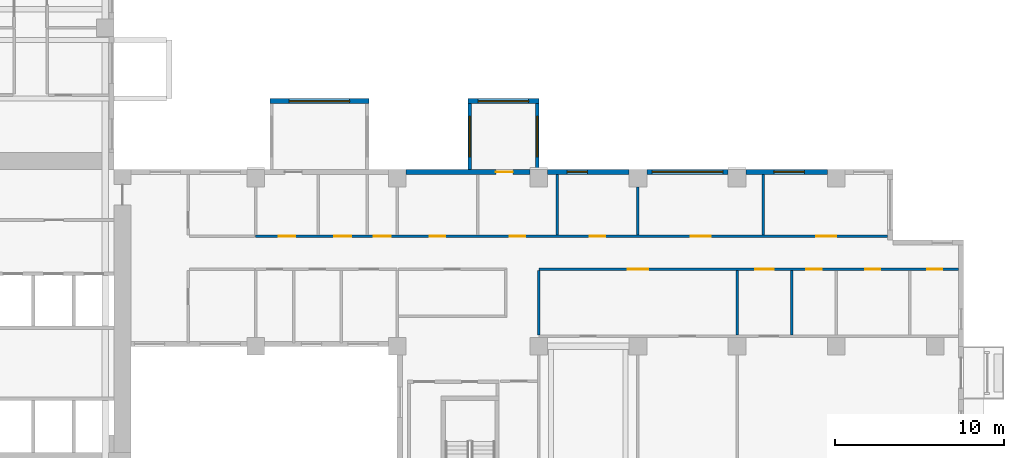
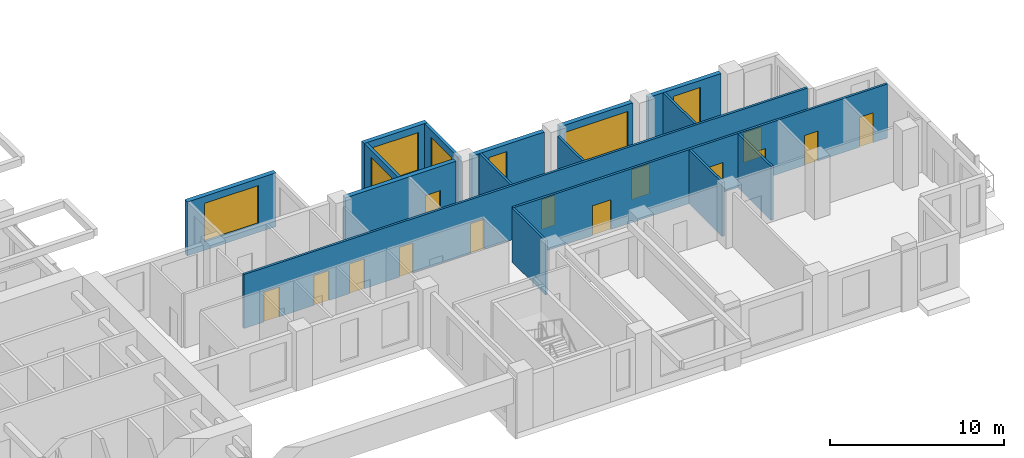
# One storey, part 5 of 14: 16 walls, 14 doors, 7 windows, 21 openings.
"""IFC4 building model written with IfcOpenShell, lengths in metres."""

import ifcopenshell
import ifcopenshell.guid

model = None  # the IFC model being written
_history = None  # IfcOwnerHistory: only IFC2X3 demands one
_inside = {}  # id of a spatial element -> (the spatial element, [elements in it])
_under = {}  # id of a project, library or spatial element -> (it, [spatial elements below it])
_declared = {}  # id of a project -> (the project, [libraries it declares])
_typed = {}  # id of a type object -> (the type object, [elements of that type])
_made_of = {}  # id of a material, layer set ... -> (it, [elements and type objects made of it])


def new_model(schema):
    """Start an empty IFC model of exactly this schema.

    Asked for "IFC4X3", IfcOpenShell would pick the latest addendum, in which some entities
    have other attributes; the version numbers below select the first issue.
    IFC2X3 requires an IfcOwnerHistory on every rooted entity: one is made here for all.
    """
    global model, _history
    if schema == "IFC4X3":
        model = ifcopenshell.file(schema_version=(4, 3, 0, 0))
    else:
        model = ifcopenshell.file(schema=schema)
    _inside.clear()
    _under.clear()
    _declared.clear()
    _typed.clear()
    _made_of.clear()
    _history = None
    if model.schema == "IFC2X3":
        org = make("IfcOrganization", Name="unknown")
        user = make(
            "IfcPersonAndOrganization",
            ThePerson=make("IfcPerson", FamilyName="unknown"),
            TheOrganization=org,
        )
        app = make(
            "IfcApplication",
            ApplicationDeveloper=org,
            Version="unknown",
            ApplicationFullName="unknown",
            ApplicationIdentifier="unknown",
        )
        _history = make(
            "IfcOwnerHistory",
            OwningUser=user,
            OwningApplication=app,
            ChangeAction="ADDED",
            CreationDate=0,
        )
    return model


def make(cls, **values):
    """One entity of the class cls with the attributes given. An attribute that is None is left unset."""
    return model.create_entity(
        cls, **{name: value for name, value in values.items() if value is not None}
    )


def rooted(cls, **values):
    """An entity with a GlobalId (a new one), such as an element, a storey or a relation."""
    return make(cls, GlobalId=ifcopenshell.guid.new(), OwnerHistory=_history, **values)


def si_unit(unit_type, name, prefix=None):
    """IfcSIUnit, for example si_unit("LENGTHUNIT", "METRE", prefix="MILLI")."""
    return make("IfcSIUnit", UnitType=unit_type, Prefix=prefix, Name=name)


def assignment(units):
    """IfcUnitAssignment: the units of a project."""
    return None if units is None else make("IfcUnitAssignment", Units=units)


def point(xyz):
    """IfcCartesianPoint."""
    return None if xyz is None else make("IfcCartesianPoint", Coordinates=xyz)


def direction(xyz):
    """IfcDirection."""
    return None if xyz is None else make("IfcDirection", DirectionRatios=xyz)


def frame(location, z_axis=None, x_axis=None):
    """IfcAxis2Placement3D, a coordinate frame: its origin and axes. An axis left out is left unset."""
    return make(
        "IfcAxis2Placement3D",
        Location=point(location),
        Axis=direction(z_axis),
        RefDirection=direction(x_axis),
    )


def frame_2d(location, x_axis=None):
    """IfcAxis2Placement2D, a coordinate frame in the plane: its origin and x axis."""
    return make(
        "IfcAxis2Placement2D", Location=point(location), RefDirection=direction(x_axis)
    )


def origin():
    """The frame at (0, 0, 0) with its axes left unset."""
    return frame((0.0, 0.0, 0.0))


def place(relative_to, where):
    """IfcLocalPlacement: puts the frame where relative to a parent placement (None: the world)."""
    return make(
        "IfcLocalPlacement", PlacementRelTo=relative_to, RelativePlacement=where
    )


def context(
    kind, dimensions, precision=None, world=None, true_north=None, identifier=None
):
    """IfcGeometricRepresentationContext, for example the 3D "Model" context."""
    return make(
        "IfcGeometricRepresentationContext",
        ContextIdentifier=identifier,
        ContextType=kind,
        CoordinateSpaceDimension=dimensions,
        Precision=precision,
        WorldCoordinateSystem=world,
        TrueNorth=true_north,
    )


def subcontext(parent, identifier, kind, view, scale=None):
    """IfcGeometricRepresentationSubContext, for example "Body" below "Model"."""
    return make(
        "IfcGeometricRepresentationSubContext",
        ContextIdentifier=identifier,
        ContextType=kind,
        ParentContext=parent,
        TargetScale=scale,
        TargetView=view,
    )


def project(units=None, contexts=None):
    """IfcProject with its units and contexts."""
    return rooted(
        "IfcProject",
        Name="project",
        RepresentationContexts=contexts,
        UnitsInContext=assignment(units),
    )


def spatial(cls, under=None, at=None, **own):
    """A site, building, storey or space (cls), placed at a placement, below another one or the project."""
    s = rooted(cls, ObjectPlacement=at, **own)
    if under is not None:
        _under.setdefault(under.id(), (under, []))[1].append(s)
    return s


def profile(cls, at=None, kind="AREA", **sizes):
    """A parametric profile (cls). Its sizes go by their IFC names, for example OverallWidth=200.0."""
    return make(cls, ProfileType=kind, Position=at, **sizes)


def rectangle(**sizes):
    """IfcRectangleProfileDef."""
    return profile("IfcRectangleProfileDef", **sizes)


def extrude(swept, where, along, depth):
    """IfcExtrudedAreaSolid: the profile swept, set in the frame where, extruded along a direction by depth."""
    return make(
        "IfcExtrudedAreaSolid",
        SweptArea=swept,
        Position=where,
        ExtrudedDirection=direction(along),
        Depth=depth,
    )


def shape(context_of_items, identifier, shape_type, items):
    """IfcShapeRepresentation: the items that make up one representation, for example the "Body"."""
    return make(
        "IfcShapeRepresentation",
        ContextOfItems=context_of_items,
        RepresentationIdentifier=identifier,
        RepresentationType=shape_type,
        Items=items,
    )


def source(mapping_origin, context_of_items, identifier, shape_type, items):
    """IfcRepresentationMap: a shape defined once, which mapped items show again and again."""
    return make(
        "IfcRepresentationMap",
        MappingOrigin=mapping_origin,
        MappedRepresentation=shape(context_of_items, identifier, shape_type, items),
    )


def transform(
    local_origin,
    x_axis=None,
    y_axis=None,
    z_axis=None,
    scale=None,
    scale2=None,
    scale3=None,
    uniform=True,
):
    """IfcCartesianTransformationOperator3D, or its non-uniform kind. x_axis, y_axis, z_axis: its Axis1, 2, 3."""
    if uniform:
        return make(
            "IfcCartesianTransformationOperator3D",
            Axis1=direction(x_axis),
            Axis2=direction(y_axis),
            LocalOrigin=point(local_origin),
            Scale=scale,
            Axis3=direction(z_axis),
        )
    return make(
        "IfcCartesianTransformationOperator3DnonUniform",
        Axis1=direction(x_axis),
        Axis2=direction(y_axis),
        LocalOrigin=point(local_origin),
        Scale=scale,
        Axis3=direction(z_axis),
        Scale2=scale2,
        Scale3=scale3,
    )


def mapped(mapping_source, mapping_target):
    """IfcMappedItem: shows the shape of a source again, moved by a transform."""
    return make(
        "IfcMappedItem", MappingSource=mapping_source, MappingTarget=mapping_target
    )


def material(Name=None, Category=None):
    """IfcMaterial."""
    return make("IfcMaterial", Name=Name, Category=Category)


def layer(
    of_material, thickness, ventilated=None, Name=None, Category=None, Priority=None
):
    """IfcMaterialLayer: one layer of a wall or slab, of a material (None: an air gap)."""
    return make(
        "IfcMaterialLayer",
        Material=of_material,
        LayerThickness=thickness,
        IsVentilated=ventilated,
        Name=Name,
        Category=Category,
        Priority=Priority,
    )


def layer_set(layers, Name=None):
    """IfcMaterialLayerSet."""
    return make("IfcMaterialLayerSet", MaterialLayers=layers, LayerSetName=Name)


def made_of(thing, what):
    """Note that an element or type object is made of a material, layer set ...; save() writes the relation."""
    if what is not None:
        _made_of.setdefault(what.id(), (what, []))[1].append(thing)
    return thing


def type_object(cls, material=None, **own):
    """A type object (cls), such as IfcWallType, which elements share."""
    return made_of(rooted(cls, **own), material)


def element(
    cls,
    number,
    at=None,
    inside=None,
    cuts=None,
    type_object=None,
    material=None,
    context=None,
    identifier="Body",
    shape_type=None,
    held_by="IfcProductDefinitionShape",
    body=None,
    shapes=None,
    **own,
):
    """One element of the class cls, such as IfcWall. Its Tag is "e" and its number.

    at: its placement. inside: the storey or other place that contains it. cuts: it is an
    opening in that element (IfcRelVoidsElement). A single representation is given by context,
    identifier, shape_type and body (its items); several are given by shapes. held_by: the class
    of the entity that holds the representations. save() writes the other relations.
    """
    e = rooted(cls, Tag="e%d" % number, ObjectPlacement=at, **own)
    if body is not None:
        shapes = [shape(context, identifier, shape_type, body)]
    if shapes is not None:
        e.Representation = make(held_by, Representations=shapes)
    if inside is not None:
        _inside.setdefault(inside.id(), (inside, []))[1].append(e)
    if cuts is not None:
        rooted(
            "IfcRelVoidsElement", RelatingBuildingElement=cuts, RelatedOpeningElement=e
        )
    if type_object is not None:
        _typed.setdefault(type_object.id(), (type_object, []))[1].append(e)
    return made_of(e, material)


def fill(opening, filler):
    """IfcRelFillsElement: the door or window that sits in an opening."""
    return rooted(
        "IfcRelFillsElement",
        RelatingOpeningElement=opening,
        RelatedBuildingElement=filler,
    )


def aggregate(whole, parts):
    """IfcRelAggregates: a whole, such as a stair, and the parts it consists of."""
    return rooted("IfcRelAggregates", RelatingObject=whole, RelatedObjects=parts)


def save(model, path):
    """Write the relations noted so far, then the file.

    IfcRelAggregates (storeys below a building ...), IfcRelContainedInSpatialStructure (elements
    in a storey), IfcRelDefinesByType, IfcRelAssociatesMaterial and IfcRelDeclares: one each for
    every whole, place, type object, material and project.
    """
    for whole, parts in _under.values():
        aggregate(whole, parts)
    for where, things in _inside.values():
        rooted(
            "IfcRelContainedInSpatialStructure",
            RelatedElements=things,
            RelatingStructure=where,
        )
    for kind, things in _typed.values():
        rooted("IfcRelDefinesByType", RelatedObjects=things, RelatingType=kind)
    for what, things in _made_of.values():
        rooted("IfcRelAssociatesMaterial", RelatedObjects=things, RelatingMaterial=what)
    for by, libraries in _declared.values():
        rooted("IfcRelDeclares", RelatingContext=by, RelatedDefinitions=libraries)
    model.write(path)


model = new_model("IFC4")

# Units and contexts
model_context = context("Model", 3, precision=1e-05, world=origin(), true_north=direction((0.0, 1.0)))
body_context = subcontext(model_context, "Body", "Model", "MODEL_VIEW")
ifc_project = project(units=[si_unit("LENGTHUNIT", "METRE"), si_unit("AREAUNIT", "SQUARE_METRE"), si_unit("VOLUMEUNIT", "CUBIC_METRE"), si_unit("PLANEANGLEUNIT", "RADIAN"), si_unit("MASSUNIT", "GRAM", prefix="KILO")], contexts=[model_context])

# Site, building, storey
site_placement = place(None, origin())
site = spatial("IfcSite", under=ifc_project, at=site_placement, CompositionType="ELEMENT")
building_placement = place(site_placement, origin())
building = spatial("IfcBuilding", under=site, at=building_placement, Name="Aurelian Terraces", CompositionType="ELEMENT")
storey_placement = place(building_placement, frame((0.0, 0.0, 103.5)))
storey = spatial("IfcBuildingStorey", under=building, at=storey_placement, Name="L22", CompositionType="ELEMENT", Elevation=103.5)

# Wall
ifc_material_1 = material(Name="Gypsum board on steel studs", Category="steel")
ifc_layer_1 = layer(ifc_material_1, 0.15)
ifc_layer_set_1 = layer_set([ifc_layer_1], Name="Partition 150")
wall_type_1 = type_object("IfcWallType", Name="Partition 150", PredefinedType="PARTITIONING", material=ifc_layer_set_1)
wall_1_placement = place(storey_placement, frame((61.2067, 11.175, 0.0), z_axis=(0.0, 0.0, 1.0), x_axis=(0.0, 1.0, 0.0)))
element("IfcWall", 1, at=wall_1_placement, inside=storey, type_object=wall_type_1, Name="Partition", PredefinedType="PARTITIONING", context=body_context, shape_type="SweptSolid", body=[
    extrude(rectangle(XDim=3.825, YDim=0.15, at=frame_2d((1.9125, 0.0))), origin(), (0.0, 0.0, 1.0), 3.8),
])

# Wall, opening, window
ifc_material_2 = material(Name="Concrete fc' 40 MPa", Category="concrete")
ifc_layer_2 = layer(ifc_material_2, 0.2)
ifc_layer_set_2 = layer_set([ifc_layer_2], Name="BOX BEARING WALL 200")
wall_type_2 = type_object("IfcWallType", Name="BOX BEARING WALL 200", PredefinedType="SOLIDWALL", material=ifc_layer_set_2)
shared_shape_1 = source(origin(), body_context, "Body", "SweptSolid", [
    extrude(rectangle(XDim=3.9, YDim=0.2, at=frame_2d((1.95, 0.0))), origin(), (0.0, 0.0, 1.0), 3.79),
])
wall_2_placement = place(storey_placement, frame((46.1, 21.0, 0.0), z_axis=(0.0, 0.0, 1.0), x_axis=(0.0, 1.0, 0.0)))
wall_2 = element("IfcWall", 2, at=wall_2_placement, inside=storey, type_object=wall_type_2, Name="Box return L22 J30.1", PredefinedType="SOLIDWALL", context=body_context, shape_type="MappedRepresentation", body=[
    mapped(shared_shape_1, transform((0.0, 0.0, 0.0), scale=1.0)),
])
shared_shape_2 = source(origin(), body_context, "Body", "SweptSolid", [
    extrude(rectangle(XDim=2.4, YDim=2.7, at=frame_2d((1.2, 1.35))), frame((0.0, 0.11, 0.0), z_axis=(0.0, -1.0, 0.0), x_axis=(1.0, 0.0, 0.0)), (0.0, 0.0, 1.0), 0.22),
])
opening_1_placement = place(wall_2_placement, frame((0.75, 0.0, 0.6)))
opening_1 = element("IfcOpeningElement", 3, at=opening_1_placement, cuts=wall_2, Name="Opening W2427", PredefinedType="OPENING", context=body_context, shape_type="MappedRepresentation", body=[
    mapped(shared_shape_2, transform((0.0, 0.0, 0.0), scale=1.0)),
])
ifc_material_3 = material(Name="Clear glazing", Category="glass")
window_type_1 = type_object("IfcWindowType", Name="W-2400x2700", PartitioningType="SINGLE_PANEL", PredefinedType="WINDOW", material=ifc_material_3)
shared_shape_3 = source(origin(), body_context, "Body", "SweptSolid", [
    extrude(rectangle(XDim=2.4, YDim=2.7, at=frame_2d((1.2, 1.35))), frame((0.0, 0.03, 0.0), z_axis=(0.0, -1.0, 0.0), x_axis=(1.0, 0.0, 0.0)), (0.0, 0.0, 1.0), 0.06),
])
window_1_placement = place(opening_1_placement, origin())
window_1 = element("IfcWindow", 4, at=window_1_placement, inside=storey, type_object=window_type_1, Name="Window L22 J30-S1", OverallHeight=2.7, OverallWidth=2.4, PartitioningType="SINGLE_PANEL", PredefinedType="WINDOW", context=body_context, shape_type="MappedRepresentation", body=[
    mapped(shared_shape_3, transform((0.0, 0.0, 0.0), scale=1.0)),
])
fill(opening_1, window_1)

wall_3_placement = place(storey_placement, frame((42.1, 21.0, 0.0), z_axis=(0.0, 0.0, 1.0), x_axis=(0.0, 1.0, 0.0)))
wall_3 = element("IfcWall", 5, at=wall_3_placement, inside=storey, type_object=wall_type_2, Name="Box return L22 J30.2", PredefinedType="SOLIDWALL", context=body_context, shape_type="MappedRepresentation", body=[
    mapped(shared_shape_1, transform((0.0, 0.0, 0.0), scale=1.0)),
])
opening_2_placement = place(wall_3_placement, frame((0.75, 0.0, 0.6)))
opening_2 = element("IfcOpeningElement", 6, at=opening_2_placement, cuts=wall_3, Name="Opening W2427", PredefinedType="OPENING", context=body_context, shape_type="MappedRepresentation", body=[
    mapped(shared_shape_2, transform((0.0, 0.0, 0.0), scale=1.0)),
])
window_2_placement = place(opening_2_placement, origin())
window_2 = element("IfcWindow", 7, at=window_2_placement, inside=storey, type_object=window_type_1, Name="Window L22 J30-S2", OverallHeight=2.7, OverallWidth=2.4, PartitioningType="SINGLE_PANEL", PredefinedType="WINDOW", context=body_context, shape_type="MappedRepresentation", body=[
    mapped(shared_shape_3, transform((0.0, 0.0, 0.0), scale=1.0)),
])
fill(opening_2, window_2)

ifc_layer_3 = layer(ifc_material_2, 0.3)
ifc_layer_set_3 = layer_set([ifc_layer_3], Name="BOX BEARING WALL 300")
wall_type_3 = type_object("IfcWallType", Name="BOX BEARING WALL 300", PredefinedType="SOLIDWALL", material=ifc_layer_set_3)
shared_shape_4 = source(origin(), body_context, "Body", "SweptSolid", [
    extrude(rectangle(XDim=5.88, YDim=0.3, at=frame_2d((2.94, 0.0))), origin(), (0.0, 0.0, 1.0), 3.79),
])
wall_4_placement = place(storey_placement, frame((36.12, 25.05, 0.0), z_axis=(0.0, 0.0, 1.0), x_axis=(-1.0, 0.0, 0.0)))
wall_4 = element("IfcWall", 8, at=wall_4_placement, inside=storey, type_object=wall_type_3, Name="Box wall L22 J29", PredefinedType="SOLIDWALL", context=body_context, shape_type="MappedRepresentation", body=[
    mapped(shared_shape_4, transform((0.0, 0.0, 0.0), scale=1.0)),
])
shared_shape_5 = source(origin(), body_context, "Body", "SweptSolid", [
    extrude(rectangle(XDim=3.6, YDim=2.7, at=frame_2d((1.8, 1.35))), frame((0.0, 0.16, 0.0), z_axis=(0.0, -1.0, 0.0), x_axis=(1.0, 0.0, 0.0)), (0.0, 0.0, 1.0), 0.32),
])
opening_3_placement = place(wall_4_placement, frame((1.14, 0.0, 0.6)))
opening_3 = element("IfcOpeningElement", 9, at=opening_3_placement, cuts=wall_4, Name="Opening W3627", PredefinedType="OPENING", context=body_context, shape_type="MappedRepresentation", body=[
    mapped(shared_shape_5, transform((0.0, 0.0, 0.0), scale=1.0)),
])
window_type_2 = type_object("IfcWindowType", Name="W-3600x2700", PartitioningType="SINGLE_PANEL", PredefinedType="WINDOW", material=ifc_material_3)
shared_shape_6 = source(origin(), body_context, "Body", "SweptSolid", [
    extrude(rectangle(XDim=3.6, YDim=2.7, at=frame_2d((1.8, 1.35))), frame((0.0, 0.03, 0.0), z_axis=(0.0, -1.0, 0.0), x_axis=(1.0, 0.0, 0.0)), (0.0, 0.0, 1.0), 0.06),
])
window_3_placement = place(opening_3_placement, origin())
window_3 = element("IfcWindow", 10, at=window_3_placement, inside=storey, type_object=window_type_2, Name="Window L22 J29-F1", OverallHeight=2.7, OverallWidth=3.6, PartitioningType="SINGLE_PANEL", PredefinedType="WINDOW", context=body_context, shape_type="MappedRepresentation", body=[
    mapped(shared_shape_6, transform((0.0, 0.0, 0.0), scale=1.0)),
])
fill(opening_3, window_3)

shared_shape_7 = source(origin(), body_context, "Body", "SweptSolid", [
    extrude(rectangle(XDim=4.2, YDim=0.3, at=frame_2d((2.1, 0.0))), origin(), (0.0, 0.0, 1.0), 3.79),
])
wall_5_placement = place(storey_placement, frame((46.2, 25.05, 0.0), z_axis=(0.0, 0.0, 1.0), x_axis=(-1.0, 0.0, 0.0)))
wall_5 = element("IfcWall", 11, at=wall_5_placement, inside=storey, type_object=wall_type_3, Name="Box wall L22 J30", PredefinedType="SOLIDWALL", context=body_context, shape_type="MappedRepresentation", body=[
    mapped(shared_shape_7, transform((0.0, 0.0, 0.0), scale=1.0)),
])
shared_shape_8 = source(origin(), body_context, "Body", "SweptSolid", [
    extrude(rectangle(XDim=3.0, YDim=2.7, at=frame_2d((1.5, 1.35))), frame((0.0, 0.16, 0.0), z_axis=(0.0, -1.0, 0.0), x_axis=(1.0, 0.0, 0.0)), (0.0, 0.0, 1.0), 0.32),
])
opening_4_placement = place(wall_5_placement, frame((0.6, 0.0, 0.6)))
opening_4 = element("IfcOpeningElement", 12, at=opening_4_placement, cuts=wall_5, Name="Opening W3027", PredefinedType="OPENING", context=body_context, shape_type="MappedRepresentation", body=[
    mapped(shared_shape_8, transform((0.0, 0.0, 0.0), scale=1.0)),
])
window_type_3 = type_object("IfcWindowType", Name="W-3000x2700", PartitioningType="SINGLE_PANEL", PredefinedType="WINDOW", material=ifc_material_3)
shared_shape_9 = source(origin(), body_context, "Body", "SweptSolid", [
    extrude(rectangle(XDim=3.0, YDim=2.7, at=frame_2d((1.5, 1.35))), frame((0.0, 0.03, 0.0), z_axis=(0.0, -1.0, 0.0), x_axis=(1.0, 0.0, 0.0)), (0.0, 0.0, 1.0), 0.06),
])
window_4_placement = place(opening_4_placement, origin())
window_4 = element("IfcWindow", 13, at=window_4_placement, inside=storey, type_object=window_type_3, Name="Window L22 J30-F1", OverallHeight=2.7, OverallWidth=3.0, PartitioningType="SINGLE_PANEL", PredefinedType="WINDOW", context=body_context, shape_type="MappedRepresentation", body=[
    mapped(shared_shape_9, transform((0.0, 0.0, 0.0), scale=1.0)),
])
fill(opening_4, window_4)

# Wall, opening, door
ifc_material_4 = material(Name="Terracotta rainscreen cladding", Category="masonry")
ifc_layer_4 = layer(ifc_material_4, 0.3)
ifc_layer_set_4 = layer_set([ifc_layer_4], Name="EW-300")
wall_type_4 = type_object("IfcWallType", Name="EW-300", PredefinedType="STANDARD", material=ifc_layer_set_4)
shared_shape_10 = source(origin(), body_context, "Body", "SweptSolid", [
    extrude(rectangle(XDim=7.35, YDim=0.3, at=frame_2d((3.675, 0.0))), origin(), (0.0, 0.0, 1.0), 3.8),
])
wall_6_placement = place(storey_placement, frame((45.675, 20.85, 0.0), z_axis=(0.0, 0.0, 1.0), x_axis=(-1.0, 0.0, 0.0)))
wall_6 = element("IfcWall", 14, at=wall_6_placement, inside=storey, type_object=wall_type_4, Name="External wall L22 F11.23", PredefinedType="STANDARD", context=body_context, shape_type="MappedRepresentation", body=[
    mapped(shared_shape_10, transform((0.0, 0.0, 0.0), scale=1.0)),
])
shared_shape_11 = source(origin(), body_context, "Body", "SweptSolid", [
    extrude(rectangle(XDim=1.0, YDim=2.1, at=frame_2d((0.5, 1.05))), frame((0.0, 0.16, 0.0), z_axis=(0.0, -1.0, 0.0), x_axis=(1.0, 0.0, 0.0)), (0.0, 0.0, 1.0), 0.32),
])
opening_5_placement = place(wall_6_placement, frame((1.0167, 0.0, 0.0)))
opening_5 = element("IfcOpeningElement", 15, at=opening_5_placement, cuts=wall_6, Name="Opening 822002", PredefinedType="OPENING", context=body_context, shape_type="MappedRepresentation", body=[
    mapped(shared_shape_11, transform((0.0, 0.0, 0.0), scale=1.0)),
])
ifc_material_5 = material(Name="Timber door leaf", Category="wood")
door_type_1 = type_object("IfcDoorType", Name="Room door 1000x2100 left", OperationType="SINGLE_SWING_LEFT", PredefinedType="DOOR", material=ifc_material_5)
shared_shape_12 = source(origin(), body_context, "Body", "SweptSolid", [
    extrude(rectangle(XDim=1.0, YDim=2.1, at=frame_2d((0.5, 1.05))), frame((0.0, 0.025, 0.0), z_axis=(0.0, -1.0, 0.0), x_axis=(1.0, 0.0, 0.0)), (0.0, 0.0, 1.0), 0.05),
])
door_1_placement = place(opening_5_placement, origin())
door_1 = element("IfcDoor", 16, at=door_1_placement, inside=storey, type_object=door_type_1, Name="Door 822002", OperationType="SINGLE_SWING_LEFT", OverallHeight=2.1, OverallWidth=1.0, PredefinedType="DOOR", context=body_context, shape_type="MappedRepresentation", body=[
    mapped(shared_shape_12, transform((0.0, 0.0, 0.0), scale=1.0)),
])
fill(opening_5, door_1)

# Wall, opening, window
shared_shape_13 = source(origin(), body_context, "Body", "SweptSolid", [
    extrude(rectangle(XDim=4.83, YDim=0.3, at=frame_2d((2.415, 0.0))), origin(), (0.0, 0.0, 1.0), 3.8),
])
wall_7_placement = place(storey_placement, frame((63.315, 20.85, 0.0), z_axis=(0.0, 0.0, 1.0), x_axis=(-1.0, 0.0, 0.0)))
wall_7 = element("IfcWall", 17, at=wall_7_placement, inside=storey, type_object=wall_type_4, Name="External wall L22 F11.22", PredefinedType="STANDARD", context=body_context, shape_type="MappedRepresentation", body=[
    mapped(shared_shape_13, transform((0.0, 0.0, 0.0), scale=1.0)),
])
shared_shape_14 = source(origin(), body_context, "Body", "SweptSolid", [
    extrude(rectangle(XDim=1.8, YDim=2.7, at=frame_2d((0.9, 1.35))), frame((0.0, 0.16, 0.0), z_axis=(0.0, -1.0, 0.0), x_axis=(1.0, 0.0, 0.0)), (0.0, 0.0, 1.0), 0.32),
])
opening_6_placement = place(wall_7_placement, frame((1.3635, 0.0, 0.6)))
opening_6 = element("IfcOpeningElement", 18, at=opening_6_placement, cuts=wall_7, Name="Opening W1827", PredefinedType="OPENING", context=body_context, shape_type="MappedRepresentation", body=[
    mapped(shared_shape_14, transform((0.0, 0.0, 0.0), scale=1.0)),
])
window_type_4 = type_object("IfcWindowType", Name="W-1800x2700", PartitioningType="SINGLE_PANEL", PredefinedType="WINDOW", material=ifc_material_3)
shared_shape_15 = source(origin(), body_context, "Body", "SweptSolid", [
    extrude(rectangle(XDim=1.8, YDim=2.7, at=frame_2d((0.9, 1.35))), frame((0.0, 0.03, 0.0), z_axis=(0.0, -1.0, 0.0), x_axis=(1.0, 0.0, 0.0)), (0.0, 0.0, 1.0), 0.06),
])
window_5_placement = place(opening_6_placement, origin())
window_5 = element("IfcWindow", 19, at=window_5_placement, inside=storey, type_object=window_type_4, Name="Window L22 L22-F11-22-1", OverallHeight=2.7, OverallWidth=1.8, PartitioningType="SINGLE_PANEL", PredefinedType="WINDOW", context=body_context, shape_type="MappedRepresentation", body=[
    mapped(shared_shape_15, transform((0.0, 0.0, 0.0), scale=1.0)),
])
fill(opening_6, window_5)

wall_8_placement = place(storey_placement, frame((57.435, 20.85, 0.0), z_axis=(0.0, 0.0, 1.0), x_axis=(-1.0, 0.0, 0.0)))
wall_8 = element("IfcWall", 20, at=wall_8_placement, inside=storey, type_object=wall_type_4, Name="External wall L22 F11.22", PredefinedType="STANDARD", context=body_context, shape_type="MappedRepresentation", body=[
    mapped(shared_shape_13, transform((0.0, 0.0, 0.0), scale=1.0)),
])
opening_7_placement = place(wall_8_placement, frame((0.315, 0.0, 0.6)))
opening_7 = element("IfcOpeningElement", 21, at=opening_7_placement, cuts=wall_8, Name="Opening W4227", PredefinedType="OPENING", context=body_context, shape_type="SweptSolid", body=[
    extrude(rectangle(XDim=4.2, YDim=2.7, at=frame_2d((2.1, 1.35))), frame((0.0, 0.16, 0.0), z_axis=(0.0, -1.0, 0.0), x_axis=(1.0, 0.0, 0.0)), (0.0, 0.0, 1.0), 0.32),
])
window_type_5 = type_object("IfcWindowType", Name="W-4200x2700", PartitioningType="SINGLE_PANEL", PredefinedType="WINDOW", material=ifc_material_3)
window_6_placement = place(opening_7_placement, origin())
window_6 = element("IfcWindow", 22, at=window_6_placement, inside=storey, type_object=window_type_5, Name="Window L22 L22-F11-22-P2", OverallHeight=2.7, OverallWidth=4.2, PartitioningType="SINGLE_PANEL", PredefinedType="WINDOW", context=body_context, shape_type="SweptSolid", body=[
    extrude(rectangle(XDim=4.2, YDim=2.7, at=frame_2d((2.1, 1.35))), frame((0.0, 0.03, 0.0), z_axis=(0.0, -1.0, 0.0), x_axis=(1.0, 0.0, 0.0)), (0.0, 0.0, 1.0), 0.06),
])
fill(opening_7, window_6)

wall_9_placement = place(storey_placement, frame((51.555, 20.85, 0.0), z_axis=(0.0, 0.0, 1.0), x_axis=(-1.0, 0.0, 0.0)))
wall_9 = element("IfcWall", 23, at=wall_9_placement, inside=storey, type_object=wall_type_4, Name="External wall L22 F11.22", PredefinedType="STANDARD", context=body_context, shape_type="MappedRepresentation", body=[
    mapped(shared_shape_13, transform((0.0, 0.0, 0.0), scale=1.0)),
])
shared_shape_16 = source(origin(), body_context, "Body", "SweptSolid", [
    extrude(rectangle(XDim=1.2, YDim=2.7, at=frame_2d((0.6, 1.35))), frame((0.0, 0.16, 0.0), z_axis=(0.0, -1.0, 0.0), x_axis=(1.0, 0.0, 0.0)), (0.0, 0.0, 1.0), 0.32),
])
opening_8_placement = place(wall_9_placement, frame((2.47, 0.0, 0.6)))
opening_8 = element("IfcOpeningElement", 24, at=opening_8_placement, cuts=wall_9, Name="Opening W1227", PredefinedType="OPENING", context=body_context, shape_type="MappedRepresentation", body=[
    mapped(shared_shape_16, transform((0.0, 0.0, 0.0), scale=1.0)),
])
window_type_6 = type_object("IfcWindowType", Name="W-1200x2700", PartitioningType="SINGLE_PANEL", PredefinedType="WINDOW", material=ifc_material_3)
shared_shape_17 = source(origin(), body_context, "Body", "SweptSolid", [
    extrude(rectangle(XDim=1.2, YDim=2.7, at=frame_2d((0.6, 1.35))), frame((0.0, 0.03, 0.0), z_axis=(0.0, -1.0, 0.0), x_axis=(1.0, 0.0, 0.0)), (0.0, 0.0, 1.0), 0.06),
])
window_7_placement = place(opening_8_placement, origin())
window_7 = element("IfcWindow", 25, at=window_7_placement, inside=storey, type_object=window_type_6, Name="Window L22 L22-F11-22-4", OverallHeight=2.7, OverallWidth=1.2, PartitioningType="SINGLE_PANEL", PredefinedType="WINDOW", context=body_context, shape_type="MappedRepresentation", body=[
    mapped(shared_shape_17, transform((0.0, 0.0, 0.0), scale=1.0)),
])
fill(opening_8, window_7)

# Walls
shared_shape_18 = source(origin(), body_context, "Body", "SweptSolid", [
    extrude(rectangle(XDim=3.6, YDim=0.15, at=frame_2d((1.8, 0.0))), origin(), (0.0, 0.0, 1.0), 3.8),
])
for number, where, z_axis, x_axis, name in (
    (26, (47.295, 20.7, 0.0), (0.0, 0.0, 1.0), (0.0, -1.0, 0.0), "Partition"),
    (27, (59.5275, 20.7, 0.0), (0.0, 0.0, 1.0), (0.0, -1.0, 0.0), "Partition"),
):
    element("IfcWall", number, at=place(storey_placement, frame(where, z_axis=z_axis, x_axis=x_axis)), inside=storey, type_object=wall_type_1, Name=name, PredefinedType="PARTITIONING", context=body_context, shape_type="MappedRepresentation", body=[
        mapped(shared_shape_18, transform((0.0, 0.0, 0.0), scale=1.0)),
    ])

# Wall, openings, doors
ifc_layer_5 = layer(ifc_material_1, 0.15)
ifc_layer_set_5 = layer_set([ifc_layer_5], Name="Fire partition 150")
wall_type_5 = type_object("IfcWallType", Name="Fire partition 150", PredefinedType="PARTITIONING", material=ifc_layer_set_5)
shared_shape_19 = source(origin(), body_context, "Body", "SweptSolid", [
    extrude(rectangle(XDim=24.9, YDim=0.15, at=frame_2d((12.45, 0.0))), origin(), (0.0, 0.0, 1.0), 3.8),
])
wall_10_placement = place(storey_placement, frame((71.1, 15.075, 0.0), z_axis=(0.0, 0.0, 1.0), x_axis=(-1.0, 0.0, 0.0)))
wall_10 = element("IfcWall", 28, at=wall_10_placement, inside=storey, type_object=wall_type_5, Name="Corridor wall", PredefinedType="PARTITIONING", context=body_context, shape_type="MappedRepresentation", body=[
    mapped(shared_shape_19, transform((0.0, 0.0, 0.0), scale=1.0)),
])
shared_shape_20 = source(origin(), body_context, "Body", "SweptSolid", [
    extrude(rectangle(XDim=1.2, YDim=2.1, at=frame_2d((0.6, 1.05))), frame((0.0, 0.085, 0.0), z_axis=(0.0, -1.0, 0.0), x_axis=(1.0, 0.0, 0.0)), (0.0, 0.0, 1.0), 0.17),
])
opening_9_placement = place(wall_10_placement, frame((18.42, 0.0, 0.0)))
opening_9 = element("IfcOpeningElement", 29, at=opening_9_placement, cuts=wall_10, Name="Opening 722008", PredefinedType="OPENING", context=body_context, shape_type="MappedRepresentation", body=[
    mapped(shared_shape_20, transform((0.0, 0.0, 0.0), scale=1.0)),
])
shared_shape_21 = source(origin(), body_context, "Body", "SweptSolid", [
    extrude(rectangle(XDim=1.1, YDim=2.1, at=frame_2d((0.55, 1.05))), frame((0.0, 0.085, 0.0), z_axis=(0.0, -1.0, 0.0), x_axis=(1.0, 0.0, 0.0)), (0.0, 0.0, 1.0), 0.17),
])
opening_10_placement = place(wall_10_placement, frame((10.9666, 0.0, 0.0)))
opening_10 = element("IfcOpeningElement", 30, at=opening_10_placement, cuts=wall_10, Name="Opening 722011", PredefinedType="OPENING", context=body_context, shape_type="MappedRepresentation", body=[
    mapped(shared_shape_21, transform((0.0, 0.0, 0.0), scale=1.0)),
])
shared_shape_22 = source(origin(), body_context, "Body", "SweptSolid", [
    extrude(rectangle(XDim=0.9, YDim=2.1, at=frame_2d((0.45, 1.05))), frame((0.0, 0.085, 0.0), z_axis=(0.0, -1.0, 0.0), x_axis=(1.0, 0.0, 0.0)), (0.0, 0.0, 1.0), 0.17),
])
opening_11_placement = place(wall_10_placement, frame((8.1266, 0.0, 0.0)))
opening_11 = element("IfcOpeningElement", 31, at=opening_11_placement, cuts=wall_10, Name="Opening 722013", PredefinedType="OPENING", context=body_context, shape_type="MappedRepresentation", body=[
    mapped(shared_shape_22, transform((0.0, 0.0, 0.0), scale=1.0)),
])
opening_12_placement = place(wall_10_placement, frame((4.6314, 0.0, 0.0)))
opening_12 = element("IfcOpeningElement", 32, at=opening_12_placement, cuts=wall_10, Name="Opening 722014", PredefinedType="OPENING", context=body_context, shape_type="MappedRepresentation", body=[
    mapped(shared_shape_22, transform((0.0, 0.0, 0.0), scale=1.0)),
])
opening_13_placement = place(wall_10_placement, frame((0.9639, 0.0, 0.0)))
opening_13 = element("IfcOpeningElement", 33, at=opening_13_placement, cuts=wall_10, Name="Opening 722015", PredefinedType="OPENING", context=body_context, shape_type="MappedRepresentation", body=[
    mapped(shared_shape_22, transform((0.0, 0.0, 0.0), scale=1.0)),
])
door_type_2 = type_object("IfcDoorType", Name="Room door 900x2100 left", OperationType="SINGLE_SWING_LEFT", PredefinedType="DOOR", material=ifc_material_5)
shared_shape_23 = source(origin(), body_context, "Body", "SweptSolid", [
    extrude(rectangle(XDim=0.9, YDim=2.1, at=frame_2d((0.45, 1.05))), frame((0.0, 0.025, 0.0), z_axis=(0.0, -1.0, 0.0), x_axis=(1.0, 0.0, 0.0)), (0.0, 0.0, 1.0), 0.05),
])
door_2_placement = place(opening_11_placement, origin())
door_2 = element("IfcDoor", 34, at=door_2_placement, inside=storey, type_object=door_type_2, Name="Door 722013", OperationType="SINGLE_SWING_LEFT", OverallHeight=2.1, OverallWidth=0.9, PredefinedType="DOOR", context=body_context, shape_type="MappedRepresentation", body=[
    mapped(shared_shape_23, transform((0.0, 0.0, 0.0), scale=1.0)),
])
fill(opening_11, door_2)
door_type_3 = type_object("IfcDoorType", Name="Room door 900x2100 right", OperationType="SINGLE_SWING_RIGHT", PredefinedType="DOOR", material=ifc_material_5)
door_3_placement = place(opening_12_placement, origin())
door_3 = element("IfcDoor", 35, at=door_3_placement, inside=storey, type_object=door_type_3, Name="Door 722014", OperationType="SINGLE_SWING_RIGHT", OverallHeight=2.1, OverallWidth=0.9, PredefinedType="DOOR", context=body_context, shape_type="MappedRepresentation", body=[
    mapped(shared_shape_23, transform((0.0, 0.0, 0.0), scale=1.0)),
])
fill(opening_12, door_3)
door_4_placement = place(opening_13_placement, origin())
door_4 = element("IfcDoor", 36, at=door_4_placement, inside=storey, type_object=door_type_2, Name="Door 722015", OperationType="SINGLE_SWING_LEFT", OverallHeight=2.1, OverallWidth=0.9, PredefinedType="DOOR", context=body_context, shape_type="MappedRepresentation", body=[
    mapped(shared_shape_23, transform((0.0, 0.0, 0.0), scale=1.0)),
])
fill(opening_13, door_4)
door_type_4 = type_object("IfcDoorType", Name="Room door 1100x2100 left", OperationType="SINGLE_SWING_LEFT", PredefinedType="DOOR", material=ifc_material_5)
shared_shape_24 = source(origin(), body_context, "Body", "SweptSolid", [
    extrude(rectangle(XDim=1.1, YDim=2.1, at=frame_2d((0.55, 1.05))), frame((0.0, 0.025, 0.0), z_axis=(0.0, -1.0, 0.0), x_axis=(1.0, 0.0, 0.0)), (0.0, 0.0, 1.0), 0.05),
])
door_5_placement = place(opening_10_placement, origin())
door_5 = element("IfcDoor", 37, at=door_5_placement, inside=storey, type_object=door_type_4, Name="Door 722011", OperationType="SINGLE_SWING_LEFT", OverallHeight=2.1, OverallWidth=1.1, PredefinedType="DOOR", context=body_context, shape_type="MappedRepresentation", body=[
    mapped(shared_shape_24, transform((0.0, 0.0, 0.0), scale=1.0)),
])
fill(opening_10, door_5)
door_type_5 = type_object("IfcDoorType", Name="Room door 1200x2100 left", OperationType="SINGLE_SWING_LEFT", PredefinedType="DOOR", material=ifc_material_5)
shared_shape_25 = source(origin(), body_context, "Body", "SweptSolid", [
    extrude(rectangle(XDim=1.2, YDim=2.1, at=frame_2d((0.6, 1.05))), frame((0.0, 0.025, 0.0), z_axis=(0.0, -1.0, 0.0), x_axis=(1.0, 0.0, 0.0)), (0.0, 0.0, 1.0), 0.05),
])
door_6_placement = place(opening_9_placement, origin())
door_6 = element("IfcDoor", 38, at=door_6_placement, inside=storey, type_object=door_type_5, Name="Door 722008", OperationType="SINGLE_SWING_LEFT", OverallHeight=2.1, OverallWidth=1.2, PredefinedType="DOOR", context=body_context, shape_type="MappedRepresentation", body=[
    mapped(shared_shape_25, transform((0.0, 0.0, 0.0), scale=1.0)),
])
fill(opening_9, door_6)

shared_shape_26 = source(origin(), body_context, "Body", "SweptSolid", [
    extrude(rectangle(XDim=37.5, YDim=0.15, at=frame_2d((18.75, 0.0))), origin(), (0.0, 0.0, 1.0), 3.8),
])
wall_11_placement = place(storey_placement, frame((29.4, 17.025, 0.0), z_axis=(0.0, 0.0, 1.0), x_axis=(1.0, 0.0, 0.0)))
wall_11 = element("IfcWall", 39, at=wall_11_placement, inside=storey, type_object=wall_type_5, Name="Corridor wall", PredefinedType="PARTITIONING", context=body_context, shape_type="MappedRepresentation", body=[
    mapped(shared_shape_26, transform((0.0, 0.0, 0.0), scale=1.0)),
])
shared_shape_27 = source(origin(), body_context, "Body", "SweptSolid", [
    extrude(rectangle(XDim=1.0, YDim=2.1, at=frame_2d((0.5, 1.05))), frame((0.0, 0.085, 0.0), z_axis=(0.0, -1.0, 0.0), x_axis=(1.0, 0.0, 0.0)), (0.0, 0.0, 1.0), 0.17),
])
opening_14_placement = place(wall_11_placement, frame((1.3567, 0.0, 0.0)))
opening_14 = element("IfcOpeningElement", 40, at=opening_14_placement, cuts=wall_11, Name="Opening 722016", PredefinedType="OPENING", context=body_context, shape_type="MappedRepresentation", body=[
    mapped(shared_shape_27, transform((0.0, 0.0, 0.0), scale=1.0)),
])
opening_15_placement = place(wall_11_placement, frame((4.6686, 0.0, 0.0)))
opening_15 = element("IfcOpeningElement", 41, at=opening_15_placement, cuts=wall_11, Name="Opening 722017", PredefinedType="OPENING", context=body_context, shape_type="MappedRepresentation", body=[
    mapped(shared_shape_27, transform((0.0, 0.0, 0.0), scale=1.0)),
])
opening_16_placement = place(wall_11_placement, frame((7.012, 0.0, 0.0)))
opening_16 = element("IfcOpeningElement", 42, at=opening_16_placement, cuts=wall_11, Name="Opening 722018", PredefinedType="OPENING", context=body_context, shape_type="MappedRepresentation", body=[
    mapped(shared_shape_27, transform((0.0, 0.0, 0.0), scale=1.0)),
])
opening_17_placement = place(wall_11_placement, frame((10.3425, 0.0, 0.0)))
opening_17 = element("IfcOpeningElement", 43, at=opening_17_placement, cuts=wall_11, Name="Opening 722019", PredefinedType="OPENING", context=body_context, shape_type="MappedRepresentation", body=[
    mapped(shared_shape_22, transform((0.0, 0.0, 0.0), scale=1.0)),
])
opening_18_placement = place(wall_11_placement, frame((15.09, 0.0, 0.0)))
opening_18 = element("IfcOpeningElement", 44, at=opening_18_placement, cuts=wall_11, Name="Opening 722020", PredefinedType="OPENING", context=body_context, shape_type="MappedRepresentation", body=[
    mapped(shared_shape_22, transform((0.0, 0.0, 0.0), scale=1.0)),
])
opening_19_placement = place(wall_11_placement, frame((19.8375, 0.0, 0.0)))
opening_19 = element("IfcOpeningElement", 45, at=opening_19_placement, cuts=wall_11, Name="Opening 722021", PredefinedType="OPENING", context=body_context, shape_type="MappedRepresentation", body=[
    mapped(shared_shape_22, transform((0.0, 0.0, 0.0), scale=1.0)),
])
opening_20_placement = place(wall_11_placement, frame((25.8038, 0.0, 0.0)))
opening_20 = element("IfcOpeningElement", 46, at=opening_20_placement, cuts=wall_11, Name="Opening 722022", PredefinedType="OPENING", context=body_context, shape_type="MappedRepresentation", body=[
    mapped(shared_shape_20, transform((0.0, 0.0, 0.0), scale=1.0)),
])
opening_21_placement = place(wall_11_placement, frame((33.2512, 0.0, 0.0)))
opening_21 = element("IfcOpeningElement", 47, at=opening_21_placement, cuts=wall_11, Name="Opening 722023", PredefinedType="OPENING", context=body_context, shape_type="MappedRepresentation", body=[
    mapped(shared_shape_20, transform((0.0, 0.0, 0.0), scale=1.0)),
])
door_7_placement = place(opening_14_placement, origin())
door_7 = element("IfcDoor", 48, at=door_7_placement, inside=storey, type_object=door_type_1, Name="Door 722016", OperationType="SINGLE_SWING_LEFT", OverallHeight=2.1, OverallWidth=1.0, PredefinedType="DOOR", context=body_context, shape_type="MappedRepresentation", body=[
    mapped(shared_shape_12, transform((0.0, 0.0, 0.0), scale=1.0)),
])
fill(opening_14, door_7)
door_type_6 = type_object("IfcDoorType", Name="Room door 1000x2100 right", OperationType="SINGLE_SWING_RIGHT", PredefinedType="DOOR", material=ifc_material_5)
door_8_placement = place(opening_15_placement, origin())
door_8 = element("IfcDoor", 49, at=door_8_placement, inside=storey, type_object=door_type_6, Name="Door 722017", OperationType="SINGLE_SWING_RIGHT", OverallHeight=2.1, OverallWidth=1.0, PredefinedType="DOOR", context=body_context, shape_type="MappedRepresentation", body=[
    mapped(shared_shape_12, transform((0.0, 0.0, 0.0), scale=1.0)),
])
fill(opening_15, door_8)
door_9_placement = place(opening_16_placement, origin())
door_9 = element("IfcDoor", 50, at=door_9_placement, inside=storey, type_object=door_type_1, Name="Door 722018", OperationType="SINGLE_SWING_LEFT", OverallHeight=2.1, OverallWidth=1.0, PredefinedType="DOOR", context=body_context, shape_type="MappedRepresentation", body=[
    mapped(shared_shape_12, transform((0.0, 0.0, 0.0), scale=1.0)),
])
fill(opening_16, door_9)
door_10_placement = place(opening_17_placement, origin())
door_10 = element("IfcDoor", 51, at=door_10_placement, inside=storey, type_object=door_type_2, Name="Door 722019", OperationType="SINGLE_SWING_LEFT", OverallHeight=2.1, OverallWidth=0.9, PredefinedType="DOOR", context=body_context, shape_type="MappedRepresentation", body=[
    mapped(shared_shape_23, transform((0.0, 0.0, 0.0), scale=1.0)),
])
fill(opening_17, door_10)
door_11_placement = place(opening_18_placement, origin())
door_11 = element("IfcDoor", 52, at=door_11_placement, inside=storey, type_object=door_type_3, Name="Door 722020", OperationType="SINGLE_SWING_RIGHT", OverallHeight=2.1, OverallWidth=0.9, PredefinedType="DOOR", context=body_context, shape_type="MappedRepresentation", body=[
    mapped(shared_shape_23, transform((0.0, 0.0, 0.0), scale=1.0)),
])
fill(opening_18, door_11)
door_12_placement = place(opening_19_placement, origin())
door_12 = element("IfcDoor", 53, at=door_12_placement, inside=storey, type_object=door_type_2, Name="Door 722021", OperationType="SINGLE_SWING_LEFT", OverallHeight=2.1, OverallWidth=0.9, PredefinedType="DOOR", context=body_context, shape_type="MappedRepresentation", body=[
    mapped(shared_shape_23, transform((0.0, 0.0, 0.0), scale=1.0)),
])
fill(opening_19, door_12)
door_13_placement = place(opening_20_placement, origin())
door_13 = element("IfcDoor", 54, at=door_13_placement, inside=storey, type_object=door_type_5, Name="Door 722022", OperationType="SINGLE_SWING_LEFT", OverallHeight=2.1, OverallWidth=1.2, PredefinedType="DOOR", context=body_context, shape_type="MappedRepresentation", body=[
    mapped(shared_shape_25, transform((0.0, 0.0, 0.0), scale=1.0)),
])
fill(opening_20, door_13)
door_type_7 = type_object("IfcDoorType", Name="Room door 1200x2100 right", OperationType="SINGLE_SWING_RIGHT", PredefinedType="DOOR", material=ifc_material_5)
door_14_placement = place(opening_21_placement, origin())
door_14 = element("IfcDoor", 55, at=door_14_placement, inside=storey, type_object=door_type_7, Name="Door 722023", OperationType="SINGLE_SWING_RIGHT", OverallHeight=2.1, OverallWidth=1.2, PredefinedType="DOOR", context=body_context, shape_type="MappedRepresentation", body=[
    mapped(shared_shape_25, transform((0.0, 0.0, 0.0), scale=1.0)),
])
fill(opening_21, door_14)

# Walls
shared_shape_28 = source(origin(), body_context, "Body", "SweptSolid", [
    extrude(rectangle(XDim=3.825, YDim=0.15, at=frame_2d((1.9125, 0.0))), origin(), (0.0, 0.0, 1.0), 3.8),
])
for number, where, z_axis, x_axis, name in (
    (56, (46.2, 11.175, 0.0), (0.0, 0.0, 1.0), (0.0, 1.0, 0.0), "Partition"),
    (57, (57.96, 11.175, 0.0), (0.0, 0.0, 1.0), (0.0, 1.0, 0.0), "Partition"),
):
    element("IfcWall", number, at=place(storey_placement, frame(where, z_axis=z_axis, x_axis=x_axis)), inside=storey, type_object=wall_type_1, Name=name, PredefinedType="PARTITIONING", context=body_context, shape_type="MappedRepresentation", body=[
        mapped(shared_shape_28, transform((0.0, 0.0, 0.0), scale=1.0)),
    ])
shared_shape_29 = source(origin(), body_context, "Body", "SweptSolid", [
    extrude(rectangle(XDim=2.851, YDim=0.15, at=frame_2d((1.4255, 0.0))), origin(), (0.0, 0.0, 1.0), 3.8),
])
wall_12_placement = place(storey_placement, frame((52.08, 17.1, 0.0), z_axis=(0.0, 0.0, 1.0), x_axis=(0.0, 1.0, 0.0)))
element("IfcWall", 58, at=wall_12_placement, inside=storey, type_object=wall_type_1, Name="Partition", PredefinedType="PARTITIONING", context=body_context, shape_type="MappedRepresentation", body=[
    mapped(shared_shape_29, transform((0.0, 0.0, 0.0), scale=1.0)),
])

save(model, "model.ifc")
